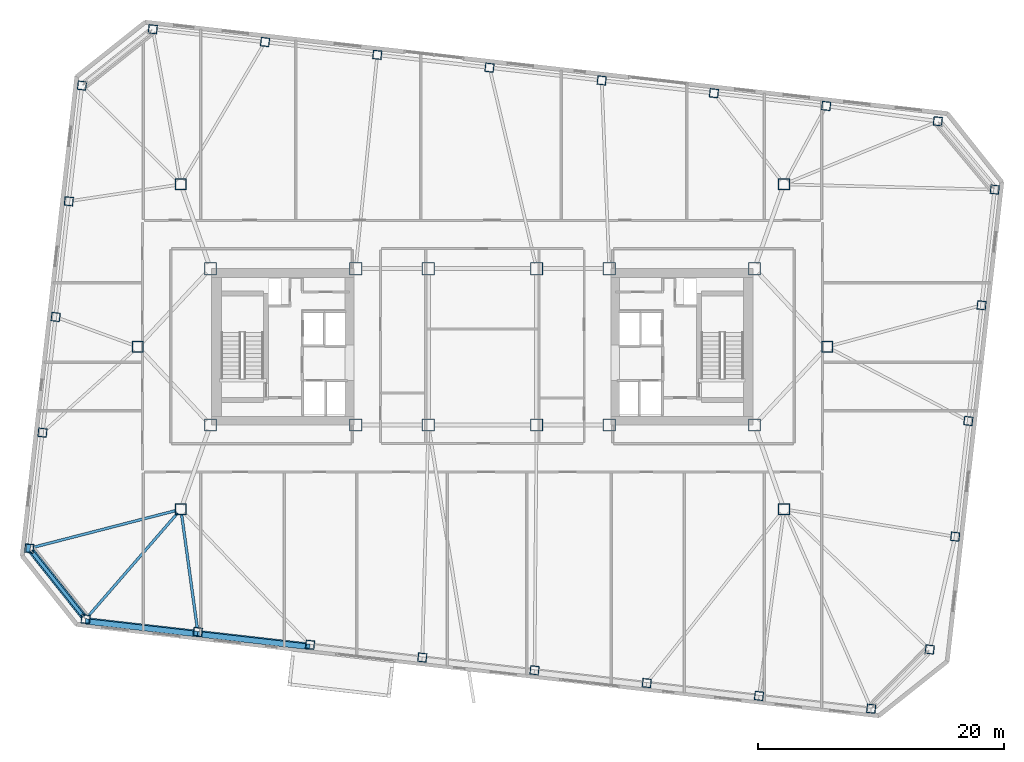
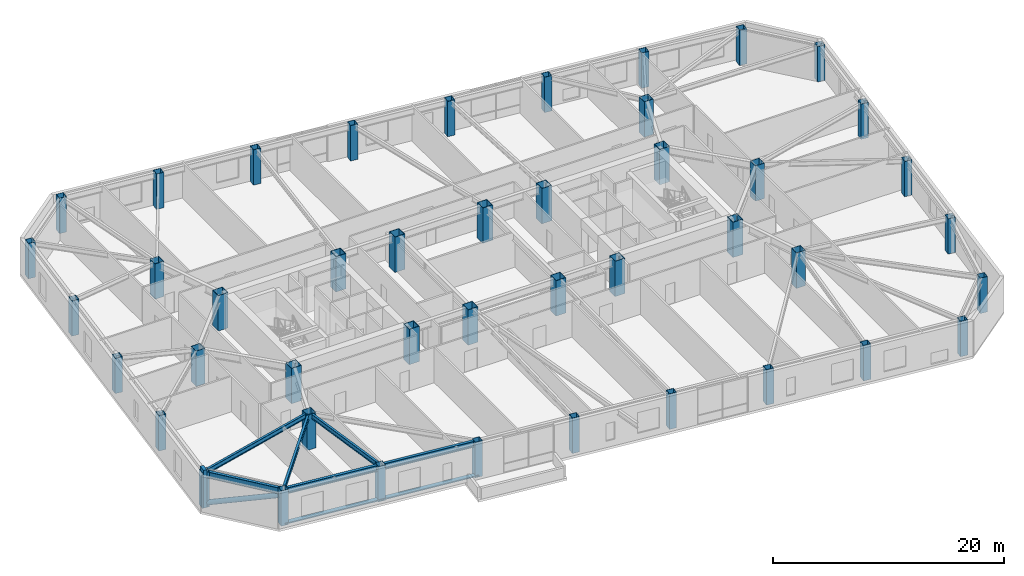
# One storey, part 1 of 20: 44 columns, 6 beams, 4 members.
"""IFC4 building model written with IfcOpenShell, lengths in metres."""

from ifc_helpers import new_model, si_unit, direction, frame, origin, origin_2d, place, context, subcontext, project, spatial, rectangle, hollow_rectangle, hollow_circle, i_section, extrude, material, material_profile, profile_set, type_object, element, save


model = new_model("IFC4")

# Units and contexts
model_context = context("Model", 3, precision=1e-05, world=origin(), true_north=direction((0.0, 1.0)))
body_context = subcontext(model_context, "Body", "Model", "MODEL_VIEW")
ifc_project = project(units=[si_unit("LENGTHUNIT", "METRE"), si_unit("AREAUNIT", "SQUARE_METRE"), si_unit("VOLUMEUNIT", "CUBIC_METRE"), si_unit("PLANEANGLEUNIT", "RADIAN"), si_unit("MASSUNIT", "GRAM", prefix="KILO")], contexts=[model_context])

# Site, building, storey
site_placement = place(None, origin())
site = spatial("IfcSite", under=ifc_project, at=site_placement, CompositionType="ELEMENT")
building_placement = place(site_placement, origin())
building = spatial("IfcBuilding", under=site, at=building_placement, Name="Tavrogorsk Clinical Tower", CompositionType="ELEMENT")
storey_placement = place(building_placement, frame((0.0, 0.0, 105.39990234375)))
storey = spatial("IfcBuildingStorey", under=building, at=storey_placement, Name="L23", CompositionType="ELEMENT", Elevation=105.39990234375)

# Columns
ifc_material_1 = material(Name="Structural steel S440", Category="steel")
ifc_material_profile_1 = material_profile(ifc_material_1, hollow_rectangle(XDim=1.0, YDim=1.0, WallThickness=0.044921875, at=origin_2d()), Name="BOX-1000x1000x45")
ifc_profile_set_1 = profile_set([ifc_material_profile_1], Name="Structural steel S440")
column_type_1 = type_object("IfcColumnType", Name="MegaCol_BOX1000", PredefinedType="COLUMN", material=ifc_profile_set_1)
for number, where, z_axis, x_axis, name in (
    (1, (-22.10009765625, -6.35009765625, 0.0), (0.0, 0.0, 1.0), (1.0, 0.0, 0.0), "L23 Mega Column MC-W1"),
    (2, (-22.10009765625, 6.35009765625, 0.0), (0.0, 0.0, 1.0), (1.0, 0.0, 0.0), "L23 Mega Column MC-W2"),
    (3, (-10.300048828125, -6.35009765625, 0.0), (0.0, 0.0, 1.0), (1.0, 0.0, 0.0), "L23 Mega Column MC-W3"),
    (4, (-10.300048828125, 6.35009765625, 0.0), (0.0, 0.0, 1.0), (1.0, 0.0, 0.0), "L23 Mega Column MC-W4"),
    (5, (10.300048828125, -6.35009765625, 0.0), (0.0, 0.0, 1.0), (1.0, 0.0, 0.0), "L23 Mega Column MC-E1"),
    (6, (10.300048828125, 6.35009765625, 0.0), (0.0, 0.0, 1.0), (1.0, 0.0, 0.0), "L23 Mega Column MC-E2"),
    (7, (22.10009765625, -6.35009765625, 0.0), (0.0, 0.0, 1.0), (1.0, 0.0, 0.0), "L23 Mega Column MC-E3"),
    (8, (22.10009765625, 6.35009765625, 0.0), (0.0, 0.0, 1.0), (1.0, 0.0, 0.0), "L23 Mega Column MC-E4"),
    (9, (-4.39990234375, -6.35009765625, 0.0), (0.0, 0.0, 1.0), (1.0, 0.0, 0.0), "L23 Mega Column MC-C1"),
    (10, (4.39990234375, -6.35009765625, 0.0), (0.0, 0.0, 1.0), (1.0, 0.0, 0.0), "L23 Mega Column MC-C2"),
    (11, (-4.39990234375, 6.35009765625, 0.0), (0.0, 0.0, 1.0), (1.0, 0.0, 0.0), "L23 Mega Column MC-C3"),
    (12, (4.39990234375, 6.35009765625, 0.0), (0.0, 0.0, 1.0), (1.0, 0.0, 0.0), "L23 Mega Column MC-C4"),
):
    element("IfcColumn", number, at=place(storey_placement, frame(where, z_axis=z_axis, x_axis=x_axis)), inside=storey, type_object=column_type_1, Name=name, PredefinedType="COLUMN", context=body_context, shape_type="SweptSolid", body=[
        extrude(hollow_rectangle(XDim=1.0, YDim=1.0, WallThickness=0.044921875, at=origin_2d()), origin(), (0.0, 0.0, 1.0), 3.739990234375),
    ])
ifc_material_2 = material(Name="Structural steel S440", Category="steel")
ifc_material_profile_2 = material_profile(ifc_material_2, hollow_rectangle(XDim=0.89990234375, YDim=0.89990234375, WallThickness=0.0400390625, at=origin_2d()), Name="BOX-900x900x40")
ifc_profile_set_2 = profile_set([ifc_material_profile_2], Name="Structural steel S440")
column_type_2 = type_object("IfcColumnType", Name="MegaCol_BOX900", PredefinedType="COLUMN", material=ifc_profile_set_2)
for number, where, z_axis, x_axis, name in (
    (13, (-24.5, -13.199951171875, 0.0), (0.0, 0.0, 1.0), (1.0, 0.0, 0.0), "L23 Spine Pilotis Column MC-P1"),
    (14, (24.5, -13.199951171875, 0.0), (0.0, 0.0, 1.0), (1.0, 0.0, 0.0), "L23 Spine Pilotis Column MC-P2"),
    (15, (-24.5, 13.199951171875, 0.0), (0.0, 0.0, 1.0), (1.0, 0.0, 0.0), "L23 Spine Pilotis Column MC-P3"),
    (16, (24.5, 13.199951171875, 0.0), (0.0, 0.0, 1.0), (1.0, 0.0, 0.0), "L23 Spine Pilotis Column MC-P4"),
    (17, (-28.0, 0.0, 0.0), (0.0, 0.0, 1.0), (1.0, 0.0, 0.0), "L23 Spine Pilotis Column MC-P5"),
    (18, (28.0, 0.0, 0.0), (0.0, 0.0, 1.0), (1.0, 0.0, 0.0), "L23 Spine Pilotis Column MC-P6"),
):
    element("IfcColumn", number, at=place(storey_placement, frame(where, z_axis=z_axis, x_axis=x_axis)), inside=storey, type_object=column_type_2, Name=name, PredefinedType="COLUMN", context=body_context, shape_type="SweptSolid", body=[
        extrude(hollow_rectangle(XDim=0.89990234375, YDim=0.89990234375, WallThickness=0.0400390625, at=origin_2d()), origin(), (0.0, 0.0, 1.0), 3.739990234375),
    ])
ifc_material_3 = material(Name="Structural steel S440", Category="steel")
ifc_material_profile_3 = material_profile(ifc_material_3, hollow_rectangle(XDim=0.699951171875, YDim=0.699951171875, WallThickness=0.031982421875, at=origin_2d()), Name="BOX-700x700x32")
ifc_profile_set_3 = profile_set([ifc_material_profile_3], Name="Structural steel S440")
column_type_3 = type_object("IfcColumnType", Name="PerimCol_B2_BOX700", PredefinedType="COLUMN", material=ifc_profile_set_3)
for number, where, z_axis, x_axis, name in (
    (19, (-32.243896484375, -22.12890625, 0.0), (0.0, 0.0, 1.0), (0.993571855677, -0.113203213768, 0.0), "L23 Perimeter Column S1"),
    (20, (-23.1259765625, -23.167724609375, 0.0), (0.0, 0.0, 1.0), (0.993571855677, -0.113203213768, 0.0), "L23 Perimeter Column S2"),
    (21, (-14.0078125, -24.20654296875, 0.0), (0.0, 0.0, 1.0), (0.993571855677, -0.113203213768, 0.0), "L23 Perimeter Column S3"),
    (22, (-4.8896484375, -25.24560546875, 0.0), (0.0, 0.0, 1.0), (0.993571855677, -0.113203213768, 0.0), "L23 Perimeter Column S4"),
    (23, (4.228515625, -26.284423828125, 0.0), (0.0, 0.0, 1.0), (0.993571855677, -0.113203213768, 0.0), "L23 Perimeter Column S5"),
    (24, (13.3466796875, -27.3232421875, 0.0), (0.0, 0.0, 1.0), (0.993571855677, -0.113203213768, 0.0), "L23 Perimeter Column S6"),
    (25, (22.465087890625, -28.3623046875, 0.0), (0.0, 0.0, 1.0), (0.993571855677, -0.113203213768, 0.0), "L23 Perimeter Column S7"),
    (26, (31.5830078125, -29.40087890625, 0.0), (0.0, 0.0, 1.0), (0.993571855677, -0.113203213768, 0.0), "L23 Perimeter Column S8"),
    (27, (36.99658203125, 18.323486328125, 0.0), (0.0, 0.0, 1.0), (0.993571855677, -0.113203213768, 0.0), "L23 Perimeter Column N1"),
    (28, (27.92578125, 19.567626953125, 0.0), (0.0, 0.0, 1.0), (0.993571855677, -0.113203213768, 0.0), "L23 Perimeter Column N2"),
    (29, (18.8076171875, 20.606689453125, 0.0), (0.0, 0.0, 1.0), (0.993571855677, -0.113203213768, 0.0), "L23 Perimeter Column N3"),
    (30, (9.689697265625, 21.6455078125, 0.0), (0.0, 0.0, 1.0), (0.993571855677, -0.113203213768, 0.0), "L23 Perimeter Column N4"),
    (31, (0.5712890625, 22.684326171875, 0.0), (0.0, 0.0, 1.0), (0.993571855677, -0.113203213768, 0.0), "L23 Perimeter Column N5"),
    (32, (-8.546875, 23.723388671875, 0.0), (0.0, 0.0, 1.0), (0.993571855677, -0.113203213768, 0.0), "L23 Perimeter Column N6"),
    (33, (-17.6650390625, 24.76220703125, 0.0), (0.0, 0.0, 1.0), (0.993571855677, -0.113203213768, 0.0), "L23 Perimeter Column N7"),
    (34, (-26.783203125, 25.801025390625, 0.0), (0.0, 0.0, 1.0), (0.993571855677, -0.113203213768, 0.0), "L23 Perimeter Column N8"),
    (35, (36.335693359375, -24.591796875, 0.0), (0.0, 0.0, 1.0), (0.993571855677, -0.113203213768, 0.0), "L23 Perimeter Column E1"),
    (36, (38.4091796875, -15.423828125, 0.0), (0.0, 0.0, 1.0), (0.993571855677, -0.113203213768, 0.0), "L23 Perimeter Column E2"),
    (37, (39.47998046875, -6.024658203125, 0.0), (0.0, 0.0, 1.0), (0.993571855677, -0.113203213768, 0.0), "L23 Perimeter Column E3"),
    (38, (40.551025390625, 3.37451171875, 0.0), (0.0, 0.0, 1.0), (0.993571855677, -0.113203213768, 0.0), "L23 Perimeter Column E4"),
    (39, (41.621826171875, 12.773681640625, 0.0), (0.0, 0.0, 1.0), (0.993571855677, -0.113203213768, 0.0), "L23 Perimeter Column E5"),
    (40, (-32.538330078125, 21.22314453125, 0.0), (0.0, 0.0, 1.0), (0.993571855677, -0.113203213768, 0.0), "L23 Perimeter Column W1"),
    (41, (-33.609130859375, 11.823974609375, 0.0), (0.0, 0.0, 1.0), (0.993571855677, -0.113203213768, 0.0), "L23 Perimeter Column W2"),
    (42, (-34.68017578125, 2.4248046875, 0.0), (0.0, 0.0, 1.0), (0.993571855677, -0.113203213768, 0.0), "L23 Perimeter Column W3"),
    (43, (-35.7509765625, -6.974365234375, 0.0), (0.0, 0.0, 1.0), (0.993571855677, -0.113203213768, 0.0), "L23 Perimeter Column W4"),
    (44, (-36.822021484375, -16.37353515625, 0.0), (0.0, 0.0, 1.0), (0.993571855677, -0.113203213768, 0.0), "L23 Perimeter Column W5"),
):
    element("IfcColumn", number, at=place(storey_placement, frame(where, z_axis=z_axis, x_axis=x_axis)), inside=storey, type_object=column_type_3, Name=name, PredefinedType="COLUMN", context=body_context, shape_type="SweptSolid", body=[
        extrude(hollow_rectangle(XDim=0.699951171875, YDim=0.699951171875, WallThickness=0.031982421875, at=origin_2d()), origin(), (0.0, 0.0, 1.0), 3.739990234375),
    ])

# Members
ifc_material_4 = material(Name="Anodised aluminium alloy AW-6063", Category="aluminium")
ifc_material_profile_4 = material_profile(ifc_material_4, rectangle(XDim=0.449951171875, YDim=0.1201171875, at=origin_2d()), Name="ALU-SUNSHADE-450x120")
ifc_profile_set_4 = profile_set([ifc_material_profile_4], Name="Anodised aluminium alloy AW-6063")
member_type_1 = type_object("IfcMemberType", Name="ChicagoSunshade_450x120", PredefinedType="USERDEFINED", material=ifc_profile_set_4)
for number, where, z_axis, x_axis, name in (
    (45, (-32.264404296875, -22.3076171875, 0.18017578125), (0.993572654864, -0.113196199166, 0.0), (0.113196199166, 0.993572654864, 0.0), "L23 South Aluminium Sunshade S1"),
    (46, (-23.146240234375, -23.346435546875, 0.18017578125), (0.993569662511, -0.113222461274, 0.0), (0.113222461274, 0.993569662511, 0.0), "L23 South Aluminium Sunshade S2"),
):
    element("IfcMember", number, at=place(storey_placement, frame(where, z_axis=z_axis, x_axis=x_axis)), inside=storey, type_object=member_type_1, Name=name, ObjectType="SUNSHADE", PredefinedType="USERDEFINED", context=body_context, shape_type="SweptSolid", body=[
        extrude(rectangle(XDim=0.449951171875, YDim=0.1201171875, at=origin_2d()), origin(), (0.0, 0.0, 1.0), 9.17724609375),
    ])
ifc_material_5 = material(Name="Structural steel S440", Category="steel")
ifc_material_profile_5 = material_profile(ifc_material_5, hollow_circle(Radius=0.25390625, WallThickness=0.02001953125, at=origin_2d()), Name="CHS-508x20")
ifc_profile_set_5 = profile_set([ifc_material_profile_5], Name="Structural steel S440")
member_type_2 = type_object("IfcMemberType", Name="ExoBrace_CHS508", PredefinedType="BRACE", material=ifc_profile_set_5)
member_1_placement = place(storey_placement, frame((-36.613037109375, -16.63623046875, 0.425048828125), z_axis=(0.583326985798, -0.73336936718, 0.349140371371), x_axis=(0.782619256143, 0.622500682662, 0.0)))
element("IfcMember", 47, at=member_1_placement, inside=storey, type_object=member_type_2, Name="L23 Corner Exoskeleton Brace W5-S1", PredefinedType="BRACE", context=body_context, shape_type="SweptSolid", body=[
    extrude(hollow_circle(Radius=0.25390625, WallThickness=0.02001953125, at=origin_2d()), origin(), (0.0, 0.0, 1.0), 7.1318359375),
])

# Beams
ifc_material_6 = material(Name="Structural steel S355", Category="steel")
ifc_material_profile_6 = material_profile(ifc_material_6, i_section(OverallWidth=0.219970703125, OverallDepth=0.5, WebThickness=0.012939453125, FlangeThickness=0.02001953125, at=origin_2d()), Name="B-500x220x13x20")
ifc_profile_set_6 = profile_set([ifc_material_profile_6], Name="Structural steel S355")
beam_type_1 = type_object("IfcBeamType", Name="FloorBeam_B500", PredefinedType="BEAM", material=ifc_profile_set_6)
beam_1_placement = place(storey_placement, frame((-24.7685546875, -13.509765625, 3.489990234375), z_axis=(-0.655213926096, -0.755443387058, 0.0), x_axis=(0.755443387058, -0.655213926096, 0.0)))
element("IfcBeam", 48, at=beam_1_placement, inside=storey, type_object=beam_type_1, Name="L23 Radial Floor Beam S1", PredefinedType="BEAM", context=body_context, shape_type="SweptSolid", body=[
    extrude(i_section(OverallWidth=0.219970703125, OverallDepth=0.5, WebThickness=0.012939453125, FlangeThickness=0.02001953125, at=origin_2d()), origin(), (0.0, 0.0, 1.0), 11.05126953125),
])
beam_2_placement = place(storey_placement, frame((-24.444091796875, -13.606201171875, 3.489990234375), z_axis=(0.136572505989, -0.990630077581, 0.0), x_axis=(0.990630077581, 0.136572505989, 0.0)))
element("IfcBeam", 49, at=beam_2_placement, inside=storey, type_object=beam_type_1, Name="L23 Radial Floor Beam S2", PredefinedType="BEAM", context=body_context, shape_type="SweptSolid", body=[
    extrude(i_section(OverallWidth=0.219970703125, OverallDepth=0.5, WebThickness=0.012939453125, FlangeThickness=0.02001953125, at=origin_2d()), origin(), (0.0, 0.0, 1.0), 9.2939453125),
])
beam_3_placement = place(storey_placement, frame((-24.89697265625, -13.30224609375, 3.489990234375), z_axis=(-0.968393085087, -0.24942901346, 0.0), x_axis=(0.24942901346, -0.968393085087, 0.0)))
element("IfcBeam", 50, at=beam_3_placement, inside=storey, type_object=beam_type_1, Name="L23 Radial Floor Beam W5", PredefinedType="BEAM", context=body_context, shape_type="SweptSolid", body=[
    extrude(i_section(OverallWidth=0.219970703125, OverallDepth=0.5, WebThickness=0.012939453125, FlangeThickness=0.02001953125, at=origin_2d()), origin(), (0.0, 0.0, 1.0), 11.9560546875),
])

# Member
ifc_material_7 = material(Name="Precast concrete B45 with limestone cladding", Category="masonry")
ifc_material_profile_7 = material_profile(ifc_material_7, rectangle(XDim=0.320068359375, YDim=0.719970703125, at=origin_2d()), Name="LIMESTONE-FIN-320x720")
ifc_profile_set_7 = profile_set([ifc_material_profile_7], Name="Precast concrete B45 with limestone cladding")
member_type_3 = type_object("IfcMemberType", Name="LimestonePleatFin_320x720", PredefinedType="USERDEFINED", material=ifc_profile_set_7)
member_2_placement = place(storey_placement, frame((-36.9013671875, -16.364501953125, 0.0), z_axis=(0.0, 0.0, 1.0), x_axis=(0.993571855677, -0.113203213768, 0.0)))
element("IfcMember", 51, at=member_2_placement, inside=storey, type_object=member_type_3, Name="L23 W Pleated Stone Fin 4", ObjectType="FIN", PredefinedType="USERDEFINED", context=body_context, shape_type="SweptSolid", body=[
    extrude(rectangle(XDim=0.320068359375, YDim=0.719970703125, at=origin_2d()), origin(), (0.0, 0.0, 1.0), 4.0),
])

# Beams
ifc_material_8 = material(Name="Structural steel S390", Category="steel")
ifc_material_profile_8 = material_profile(ifc_material_8, i_section(OverallWidth=0.280029296875, OverallDepth=0.64990234375, WebThickness=0.01611328125, FlangeThickness=0.02490234375, at=origin_2d()), Name="B-650x280x16x25")
ifc_profile_set_8 = profile_set([ifc_material_profile_8], Name="Structural steel S390")
beam_type_2 = type_object("IfcBeamType", Name="SpandrelBeam_B650", PredefinedType="SPANDREL", material=ifc_profile_set_8)
beam_4_placement = place(storey_placement, frame((-31.88818359375, -22.16943359375, 3.4150390625), z_axis=(0.99357232562, -0.113199089054, 0.0), x_axis=(0.113199089054, 0.99357232562, 0.0)))
element("IfcBeam", 52, at=beam_4_placement, inside=storey, type_object=beam_type_2, Name="L23 Perimeter Spandrel S1-S2", PredefinedType="SPANDREL", context=body_context, shape_type="SweptSolid", body=[
    extrude(i_section(OverallWidth=0.280029296875, OverallDepth=0.64990234375, WebThickness=0.01611328125, FlangeThickness=0.02490234375, at=origin_2d()), origin(), (0.0, 0.0, 1.0), 8.4609375),
])
beam_5_placement = place(storey_placement, frame((-22.770263671875, -23.208251953125, 3.4150390625), z_axis=(0.99357306506, -0.113192598642, 0.0), x_axis=(0.113192598642, 0.99357306506, 0.0)))
element("IfcBeam", 53, at=beam_5_placement, inside=storey, type_object=beam_type_2, Name="L23 Perimeter Spandrel S2-S3", PredefinedType="SPANDREL", context=body_context, shape_type="SweptSolid", body=[
    extrude(i_section(OverallWidth=0.280029296875, OverallDepth=0.64990234375, WebThickness=0.01611328125, FlangeThickness=0.02490234375, at=origin_2d()), origin(), (0.0, 0.0, 1.0), 8.46142578125),
])
beam_6_placement = place(storey_placement, frame((-36.59912109375, -16.65380859375, 3.4150390625), z_axis=(0.622530733212, -0.782595352788, 0.0), x_axis=(0.782595352788, 0.622530733212, 0.0)))
element("IfcBeam", 54, at=beam_6_placement, inside=storey, type_object=beam_type_2, Name="L23 Perimeter Spandrel W5-S1", PredefinedType="SPANDREL", context=body_context, shape_type="SweptSolid", body=[
    extrude(i_section(OverallWidth=0.280029296875, OverallDepth=0.64990234375, WebThickness=0.01611328125, FlangeThickness=0.02490234375, at=origin_2d()), origin(), (0.0, 0.0, 1.0), 6.637939453125),
])

save(model, "model.ifc")
